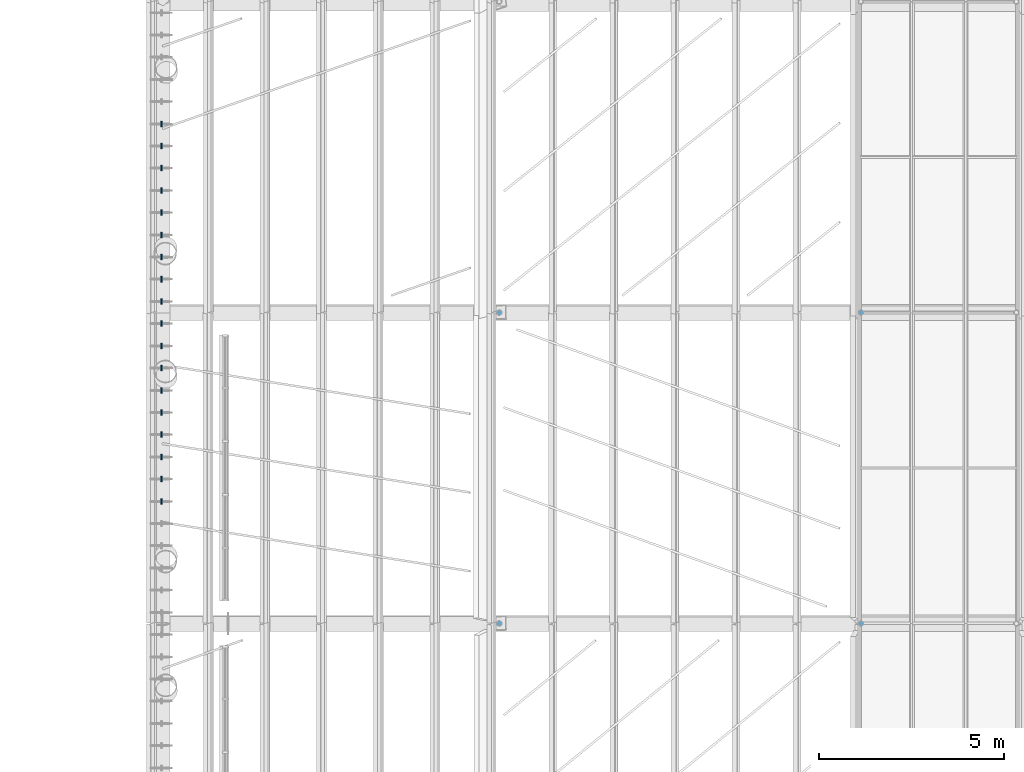
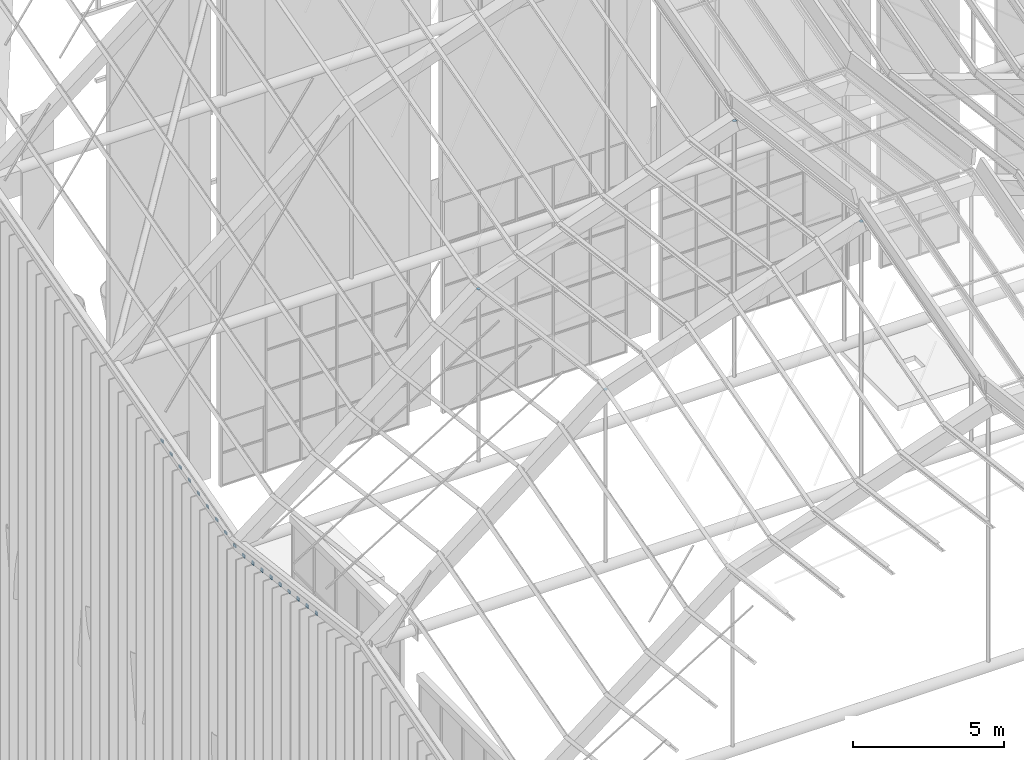
# One storey, part 90 of 126: 22 discrete accessories.
"""IFC4 building model written with IfcOpenShell, lengths in metres."""

from ifc_helpers import new_model, si_unit, direction, frame, origin, origin_2d, place, context, subcontext, project, spatial, rectangle, circle, extrude, material, layer, layer_set, material_profile, profile_set, type_object, element, save


model = new_model("IFC4")

# Units and contexts
model_context = context("Model", 3, precision=1e-05, world=origin(), true_north=direction((0.0, 1.0)))
body_context = subcontext(model_context, "Body", "Model", "MODEL_VIEW")
ifc_project = project(units=[si_unit("LENGTHUNIT", "METRE"), si_unit("AREAUNIT", "SQUARE_METRE"), si_unit("VOLUMEUNIT", "CUBIC_METRE"), si_unit("PLANEANGLEUNIT", "RADIAN"), si_unit("MASSUNIT", "GRAM", prefix="KILO")], contexts=[model_context])

# Site, building, storey
site_placement = place(None, origin())
site = spatial("IfcSite", under=ifc_project, at=site_placement, CompositionType="ELEMENT")
building_placement = place(site_placement, origin())
building = spatial("IfcBuilding", under=site, at=building_placement, Name="Sava Quay Ferry Terminal", CompositionType="ELEMENT")
storey_placement = place(building_placement, frame((0.0, 0.0, 15.0)))
storey = spatial("IfcBuildingStorey", under=building, at=storey_placement, Name="L03", CompositionType="ELEMENT", Elevation=15.0)

# Discrete accessories
ifc_material_1 = material(Name="Steel S355 galvanised", Category="steel")
ifc_layer = layer(ifc_material_1, 0.0400390625)
ifc_layer_set = layer_set([ifc_layer], Name="Steel S355 galvanised")
discrete_accessory_type_1 = type_object("IfcDiscreteAccessoryType", Name="Blade bracket flat 40x150", PredefinedType="BRACKET", material=ifc_layer_set)
for number, where, z_axis, x_axis, name in (
    (1, (42.0, 78.89990234375, 11.31298828125), (0.0, 0.0, 1.0), (1.0, 0.0, 0.0), "Blade bracket D-W 48"),
    (2, (42.0, 79.5, 11.23876953125), (0.0, 0.0, 1.0), (1.0, 0.0, 0.0), "Blade bracket D-W 49"),
    (3, (42.0, 80.10009765625, 11.164306640625), (0.0, 0.0, 1.0), (1.0, 0.0, 0.0), "Blade bracket D-W 50"),
    (4, (42.0, 80.699951171875, 11.08984375), (0.0, 0.0, 1.0), (1.0, 0.0, 0.0), "Blade bracket D-W 51"),
    (5, (42.0, 81.300048828125, 11.015380859375), (0.0, 0.0, 1.0), (1.0, 0.0, 0.0), "Blade bracket D-W 52"),
    (6, (42.0, 81.89990234375, 10.94091796875), (0.0, 0.0, 1.0), (1.0, 0.0, 0.0), "Blade bracket D-W 53"),
    (7, (42.0, 82.5, 10.866455078125), (0.0, 0.0, 1.0), (1.0, 0.0, 0.0), "Blade bracket D-W 54"),
    (8, (42.0, 83.10009765625, 10.7919921875), (0.0, 0.0, 1.0), (1.0, 0.0, 0.0), "Blade bracket D-W 55"),
    (9, (42.0, 83.699951171875, 10.7177734375), (0.0, 0.0, 1.0), (1.0, 0.0, 0.0), "Blade bracket D-W 56"),
    (10, (42.0, 84.300048828125, 10.762451171875), (0.0, 0.0, 1.0), (1.0, 0.0, 0.0), "Blade bracket D-W 57"),
    (11, (42.0, 84.89990234375, 10.9267578125), (0.0, 0.0, 1.0), (1.0, 0.0, 0.0), "Blade bracket D-W 58"),
    (12, (42.0, 85.5, 11.0908203125), (0.0, 0.0, 1.0), (1.0, 0.0, 0.0), "Blade bracket D-W 59"),
    (13, (42.0, 86.10009765625, 11.2548828125), (0.0, 0.0, 1.0), (1.0, 0.0, 0.0), "Blade bracket D-W 60"),
    (14, (42.0, 86.699951171875, 11.419189453125), (0.0, 0.0, 1.0), (1.0, 0.0, 0.0), "Blade bracket D-W 61"),
    (15, (42.0, 87.300048828125, 11.583251953125), (0.0, 0.0, 1.0), (1.0, 0.0, 0.0), "Blade bracket D-W 62"),
    (16, (42.0, 87.89990234375, 11.747314453125), (0.0, 0.0, 1.0), (1.0, 0.0, 0.0), "Blade bracket D-W 63"),
    (17, (42.0, 88.5, 11.91162109375), (0.0, 0.0, 1.0), (1.0, 0.0, 0.0), "Blade bracket D-W 64"),
    (18, (42.0, 89.10009765625, 12.07568359375), (0.0, 0.0, 1.0), (1.0, 0.0, 0.0), "Blade bracket D-W 65"),
):
    element("IfcDiscreteAccessory", number, at=place(storey_placement, frame(where, z_axis=z_axis, x_axis=x_axis)), inside=storey, type_object=discrete_accessory_type_1, Name=name, PredefinedType="BRACKET", context=body_context, shape_type="SweptSolid", body=[
        extrude(rectangle(XDim=0.0400390625, YDim=0.14990234375, at=origin_2d()), origin(), (0.0, 0.0, 1.0), 0.1201171875),
    ])
ifc_material_2 = material(Name="Steel S355", Category="steel")
ifc_material_profile = material_profile(ifc_material_2, circle(Radius=0.06982421875, at=origin_2d()), Name="Plate 139.7 dia x 20")
ifc_profile_set = profile_set([ifc_material_profile], Name="Steel S355")
discrete_accessory_type_2 = type_object("IfcDiscreteAccessoryType", Name="Tube end plate 139.7", PredefinedType="ANCHORPLATE", material=ifc_profile_set)
for number, where, z_axis, x_axis, name in (
    (19, (51.1298828125, 75.60009765625, 19.2041015625), (0.0, 0.0, 1.0), (1.0, 0.0, 0.0), "End plate Departure hall tie hanger R3 V1"),
    (20, (60.89990234375, 75.60009765625, 22.568115234375), (0.0, 0.0, 1.0), (1.0, 0.0, 0.0), "End plate Departure hall tie hanger R3 V2"),
    (21, (51.1298828125, 84.0, 18.162109375), (0.0, 0.0, 1.0), (1.0, 0.0, 0.0), "End plate Departure hall tie hanger R4 V1"),
    (22, (60.89990234375, 84.0, 21.526123046875), (0.0, 0.0, 1.0), (1.0, 0.0, 0.0), "End plate Departure hall tie hanger R4 V2"),
):
    element("IfcDiscreteAccessory", number, at=place(storey_placement, frame(where, z_axis=z_axis, x_axis=x_axis)), inside=storey, type_object=discrete_accessory_type_2, Name=name, PredefinedType="ANCHORPLATE", context=body_context, shape_type="SweptSolid", body=[
        extrude(circle(Radius=0.06982421875, at=origin_2d()), origin(), (0.0, 0.0, 1.0), 0.02001953125),
    ])

save(model, "model.ifc")
